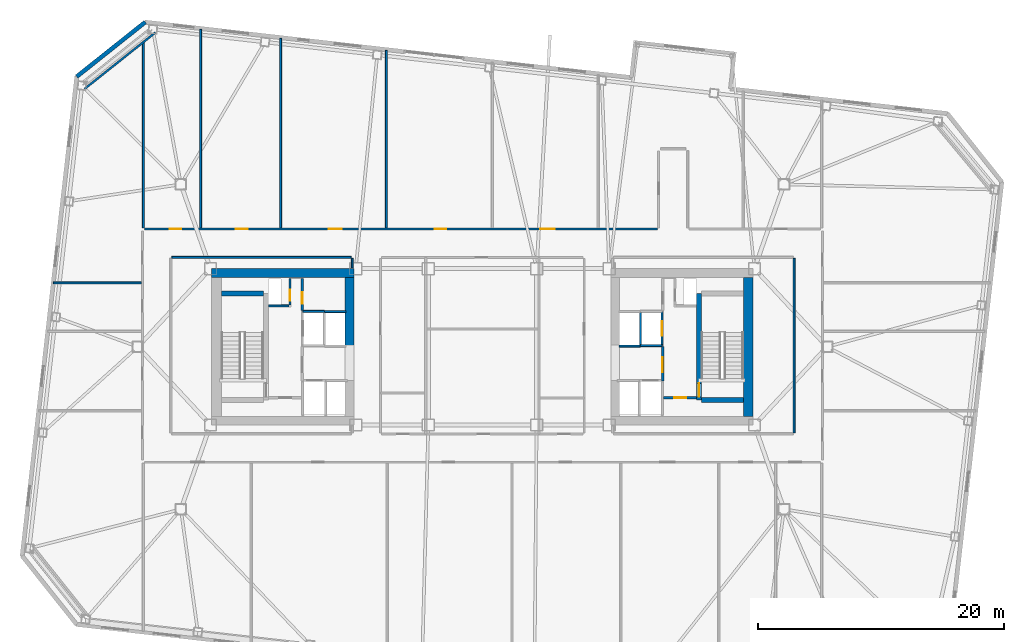
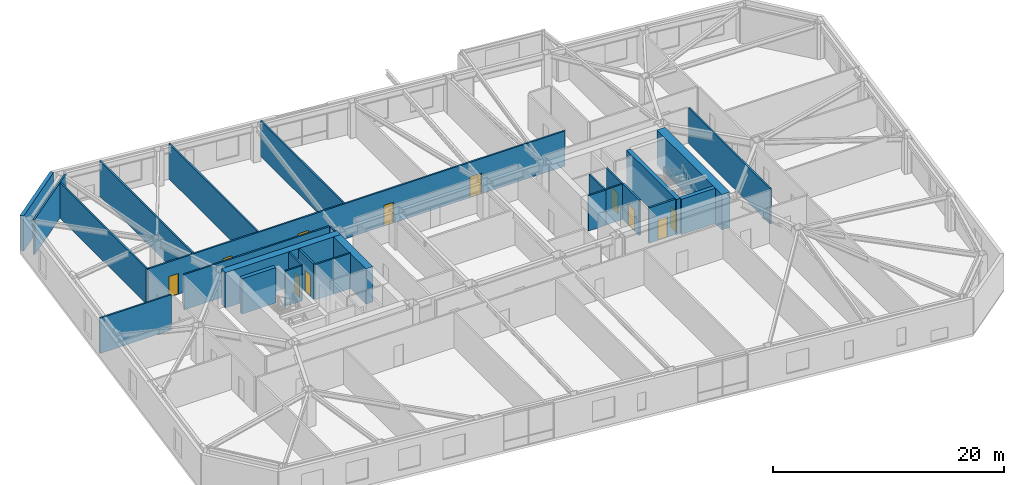
# One storey, part 14 of 21: 28 walls, 11 doors, 11 openings.
"""IFC4 building model written with IfcOpenShell, lengths in metres."""

from ifc_helpers import new_model, si_unit, direction, frame, frame_2d, origin, place, context, subcontext, project, spatial, rectangle, extrude, material, layer, layer_set, type_object, element, fill, save


model = new_model("IFC4")

# Units and contexts
model_context = context("Model", 3, precision=1e-05, world=origin(), true_north=direction((0.0, 1.0)))
body_context = subcontext(model_context, "Body", "Model", "MODEL_VIEW")
ifc_project = project(units=[si_unit("LENGTHUNIT", "METRE"), si_unit("AREAUNIT", "SQUARE_METRE"), si_unit("VOLUMEUNIT", "CUBIC_METRE"), si_unit("PLANEANGLEUNIT", "RADIAN"), si_unit("MASSUNIT", "GRAM", prefix="KILO")], contexts=[model_context])

# Site, building, storey
site_placement = place(None, origin())
site = spatial("IfcSite", under=ifc_project, at=site_placement, CompositionType="ELEMENT")
building_placement = place(site_placement, origin())
building = spatial("IfcBuilding", under=site, at=building_placement, Name="Tavrogorsk Clinical Tower", CompositionType="ELEMENT")
storey_placement = place(building_placement, frame((0.0, 0.0, 121.39990234375)))
storey = spatial("IfcBuildingStorey", under=building, at=storey_placement, Name="L27", CompositionType="ELEMENT", Elevation=121.39990234375)

# Wall, opening, door
ifc_material_1 = material(Name="Concrete B60", Category="concrete")
ifc_layer_1 = layer(ifc_material_1, 0.199951171875)
ifc_layer_set_1 = layer_set([ifc_layer_1], Name="Concrete B60")
wall_type_1 = type_object("IfcWallType", Name="CoreFireWall_200", PredefinedType="SOLIDWALL", material=ifc_layer_set_1)
wall_1_placement = place(storey_placement, frame((-14.639892578125, 2.9599609375, 0.0), z_axis=(0.0, 0.0, 1.0), x_axis=(0.0, 1.0, 0.0)))
wall_1 = element("IfcWall", 1, at=wall_1_placement, inside=storey, type_object=wall_type_1, Name="L27 Core West North Core Room East Wall", PredefinedType="SOLIDWALL", context=body_context, shape_type="SweptSolid", body=[
    extrude(rectangle(XDim=2.60009765625, YDim=0.199951171875, at=frame_2d((1.300048828125, 0.0))), origin(), (0.0, 0.0, 1.0), 3.739990234375),
])
opening_1_placement = place(wall_1_placement, frame((0.52001953125, 0.0, 0.0)))
opening_1 = element("IfcOpeningElement", 2, at=opening_1_placement, cuts=wall_1, Name="Opening ID-02", PredefinedType="OPENING", context=body_context, shape_type="SweptSolid", body=[
    extrude(rectangle(XDim=0.949951171875, YDim=2.199951171875, at=frame_2d((0.47509765625, 1.10009765625))), frame((0.0, 0.10986328125, 0.0), z_axis=(0.0, -1.0, 0.0), x_axis=(1.0, 0.0, 0.0)), (0.0, 0.0, 1.0), 0.219970703125),
])
ifc_material_2 = material(Name="Laminated timber leaf on aluminium frame", Category="wood")
door_type_1 = type_object("IfcDoorType", Name="InteriorDoor_ID02_950", OperationType="NOTDEFINED", PredefinedType="DOOR", material=ifc_material_2)
door_1_placement = place(opening_1_placement, origin())
door_1 = element("IfcDoor", 3, at=door_1_placement, inside=storey, type_object=door_type_1, Name="L27 Core West Core Telemetry Room Door", OperationType="SINGLE_SWING_LEFT", OverallHeight=2.199951171875, OverallWidth=0.949951171875, PredefinedType="DOOR", context=body_context, shape_type="SweptSolid", body=[
    extrude(rectangle(XDim=0.949951171875, YDim=2.199951171875, at=frame_2d((0.47509765625, 1.10009765625))), frame((0.0, 0.02490234375, 0.0), z_axis=(0.0, -1.0, 0.0), x_axis=(1.0, 0.0, 0.0)), (0.0, 0.0, 1.0), 0.050048828125),
])
fill(opening_1, door_1)

wall_2_placement = place(storey_placement, frame((14.719970703125, -4.139892578125, 0.0), z_axis=(0.0, 0.0, 1.0), x_axis=(1.0, 0.0, 0.0)))
wall_2 = element("IfcWall", 4, at=wall_2_placement, inside=storey, type_object=wall_type_1, Name="L27 Core East South Core Room Fire Wall", PredefinedType="SOLIDWALL", context=body_context, shape_type="SweptSolid", body=[
    extrude(rectangle(XDim=2.659912109375, YDim=0.199951171875, at=frame_2d((1.330078125, 0.0))), origin(), (0.0, 0.0, 1.0), 3.739990234375),
])
opening_2_placement = place(wall_2_placement, frame((0.8798828125, 0.0, 0.0)))
opening_2 = element("IfcOpeningElement", 5, at=opening_2_placement, cuts=wall_2, Name="Opening ID-02", PredefinedType="OPENING", context=body_context, shape_type="SweptSolid", body=[
    extrude(rectangle(XDim=0.949951171875, YDim=2.199951171875, at=frame_2d((0.47509765625, 1.10009765625))), frame((0.0, 0.10986328125, 0.0), z_axis=(0.0, -1.0, 0.0), x_axis=(1.0, 0.0, 0.0)), (0.0, 0.0, 1.0), 0.219970703125),
])
door_2_placement = place(opening_2_placement, origin())
door_2 = element("IfcDoor", 6, at=door_2_placement, inside=storey, type_object=door_type_1, Name="L27 Core East South Core Room Door", OperationType="SINGLE_SWING_RIGHT", OverallHeight=2.199951171875, OverallWidth=0.949951171875, PredefinedType="DOOR", context=body_context, shape_type="SweptSolid", body=[
    extrude(rectangle(XDim=0.949951171875, YDim=2.199951171875, at=frame_2d((0.47509765625, 1.10009765625))), frame((0.0, 0.02490234375, 0.0), z_axis=(0.0, -1.0, 0.0), x_axis=(1.0, 0.0, 0.0)), (0.0, 0.0, 1.0), 0.050048828125),
])
fill(opening_2, door_2)

wall_3_placement = place(storey_placement, frame((14.639892578125, -2.780029296875, 0.0), z_axis=(0.0, 0.0, 1.0), x_axis=(0.0, 1.0, 0.0)))
wall_3 = element("IfcWall", 7, at=wall_3_placement, inside=storey, type_object=wall_type_1, Name="L27 Core East Firefighting Lobby Fire Wall", PredefinedType="SOLIDWALL", context=body_context, shape_type="SweptSolid", body=[
    extrude(rectangle(XDim=2.820068359375, YDim=0.199951171875, at=frame_2d((1.41015625, 0.0))), origin(), (0.0, 0.0, 1.0), 3.739990234375),
])
opening_3_placement = place(wall_3_placement, frame((0.72998046875, 0.0, 0.0)))
opening_3 = element("IfcOpeningElement", 8, at=opening_3_placement, cuts=wall_3, Name="Opening FD-01", PredefinedType="OPENING", context=body_context, shape_type="SweptSolid", body=[
    extrude(rectangle(XDim=1.199951171875, YDim=2.199951171875, at=frame_2d((0.60009765625, 1.10009765625))), frame((0.0, 0.10986328125, 0.0), z_axis=(0.0, -1.0, 0.0), x_axis=(1.0, 0.0, 0.0)), (0.0, 0.0, 1.0), 0.219970703125),
])
ifc_material_3 = material(Name="Galvanised steel fire-rated door assembly", Category="steel")
door_type_2 = type_object("IfcDoorType", Name="FireDoor_FD01_1200", OperationType="NOTDEFINED", PredefinedType="DOOR", material=ifc_material_3)
door_3_placement = place(opening_3_placement, origin())
door_3 = element("IfcDoor", 9, at=door_3_placement, inside=storey, type_object=door_type_2, Name="L27 Core East Firefighting Lobby Entry Door", OperationType="SINGLE_SWING_RIGHT", OverallHeight=2.199951171875, OverallWidth=1.199951171875, PredefinedType="DOOR", context=body_context, shape_type="SweptSolid", body=[
    extrude(rectangle(XDim=1.199951171875, YDim=2.199951171875, at=frame_2d((0.60009765625, 1.10009765625))), frame((0.0, 0.02490234375, 0.0), z_axis=(0.0, -1.0, 0.0), x_axis=(1.0, 0.0, 0.0)), (0.0, 0.0, 1.0), 0.050048828125),
])
fill(opening_3, door_3)

# Wall
ifc_material_4 = material(Name="Lightweight concrete blockwork B15", Category="masonry")
ifc_layer_2 = layer(ifc_material_4, 0.159912109375)
ifc_layer_set_2 = layer_set([ifc_layer_2], Name="Lightweight concrete blockwork B15")
wall_type_2 = type_object("IfcWallType", Name="PartitionWall_160", PredefinedType="PARTITIONING", material=ifc_layer_set_2)
wall_4_placement = place(storey_placement, frame((-26.5712890625, 25.534912109375, 0.0), z_axis=(0.0, 0.0, 1.0), x_axis=(-0.782617962887, -0.622502308564, 0.0)))
element("IfcWall", 10, at=wall_4_placement, inside=storey, type_object=wall_type_2, Name="L27 Corner Exoskeleton Brace Furring Wall 3", PredefinedType="PARTITIONING", context=body_context, shape_type="SweptSolid", body=[
    extrude(rectangle(XDim=7.35400390625, YDim=0.159912109375, at=frame_2d((3.677001953125, 0.0))), origin(), (0.0, 0.0, 1.0), 3.739990234375),
])

# Wall, openings, doors
wall_5_placement = place(storey_placement, frame((-27.465087890625, 9.580078125, 0.0), z_axis=(0.0, 0.0, 1.0), x_axis=(1.0, 0.0, 0.0)))
wall_5 = element("IfcWall", 11, at=wall_5_placement, inside=storey, type_object=wall_type_2, Name="L27 Corridor Partition 02", PredefinedType="PARTITIONING", context=body_context, shape_type="SweptSolid", body=[
    extrude(rectangle(XDim=41.7001953125, YDim=0.159912109375, at=frame_2d((20.85009765625, 0.0))), origin(), (0.0, 0.0, 1.0), 3.739990234375),
])
opening_4_placement = place(wall_5_placement, frame((2.044189453125, 0.0, 0.0)))
opening_4 = element("IfcOpeningElement", 12, at=opening_4_placement, cuts=wall_5, Name="Opening ID-02", PredefinedType="OPENING", context=body_context, shape_type="SweptSolid", body=[
    extrude(rectangle(XDim=0.949951171875, YDim=2.199951171875, at=frame_2d((0.47509765625, 1.10009765625))), frame((0.0, 0.08984375, 0.0), z_axis=(0.0, -1.0, 0.0), x_axis=(1.0, 0.0, 0.0)), (0.0, 0.0, 1.0), 0.179931640625),
])
opening_5_placement = place(wall_5_placement, frame((7.425048828125, 0.0, 0.0)))
opening_5 = element("IfcOpeningElement", 13, at=opening_5_placement, cuts=wall_5, Name="Opening ID-02", PredefinedType="OPENING", context=body_context, shape_type="SweptSolid", body=[
    extrude(rectangle(XDim=0.949951171875, YDim=2.199951171875, at=frame_2d((0.47509765625, 1.10009765625))), frame((0.0, 0.08984375, 0.0), z_axis=(0.0, -1.0, 0.0), x_axis=(1.0, 0.0, 0.0)), (0.0, 0.0, 1.0), 0.179931640625),
])
opening_6_placement = place(wall_5_placement, frame((14.97509765625, 0.0, 0.0)))
opening_6 = element("IfcOpeningElement", 14, at=opening_6_placement, cuts=wall_5, Name="Opening ID-04", PredefinedType="OPENING", context=body_context, shape_type="SweptSolid", body=[
    extrude(rectangle(XDim=1.050048828125, YDim=2.199951171875, at=frame_2d((0.52490234375, 1.10009765625))), frame((0.0, 0.08984375, 0.0), z_axis=(0.0, -1.0, 0.0), x_axis=(1.0, 0.0, 0.0)), (0.0, 0.0, 1.0), 0.179931640625),
])
opening_7_placement = place(wall_5_placement, frame((23.574951171875, 0.0, 0.0)))
opening_7 = element("IfcOpeningElement", 15, at=opening_7_placement, cuts=wall_5, Name="Opening ID-02", PredefinedType="OPENING", context=body_context, shape_type="SweptSolid", body=[
    extrude(rectangle(XDim=0.949951171875, YDim=2.199951171875, at=frame_2d((0.47509765625, 1.10009765625))), frame((0.0, 0.08984375, 0.0), z_axis=(0.0, -1.0, 0.0), x_axis=(1.0, 0.0, 0.0)), (0.0, 0.0, 1.0), 0.179931640625),
])
opening_8_placement = place(wall_5_placement, frame((32.175048828125, 0.0, 0.0)))
opening_8 = element("IfcOpeningElement", 16, at=opening_8_placement, cuts=wall_5, Name="Opening ID-06", PredefinedType="OPENING", context=body_context, shape_type="SweptSolid", body=[
    extrude(rectangle(XDim=1.14990234375, YDim=2.199951171875, at=frame_2d((0.574951171875, 1.10009765625))), frame((0.0, 0.08984375, 0.0), z_axis=(0.0, -1.0, 0.0), x_axis=(1.0, 0.0, 0.0)), (0.0, 0.0, 1.0), 0.179931640625),
])
ifc_material_5 = material(Name="Antibacterial HPL consultation door on aluminium frame", Category="aluminium")
door_type_3 = type_object("IfcDoorType", Name="ConsultDoor_ID04_1050", OperationType="NOTDEFINED", PredefinedType="DOOR", material=ifc_material_5)
door_4_placement = place(opening_6_placement, origin())
door_4 = element("IfcDoor", 17, at=door_4_placement, inside=storey, type_object=door_type_3, Name="L27 North Antenatal Education Lecture Hall 03 Door", OperationType="SINGLE_SWING_LEFT", OverallHeight=2.199951171875, OverallWidth=1.050048828125, PredefinedType="DOOR", context=body_context, shape_type="SweptSolid", body=[
    extrude(rectangle(XDim=1.050048828125, YDim=2.199951171875, at=frame_2d((0.52490234375, 1.10009765625))), frame((0.0, 0.02490234375, 0.0), z_axis=(0.0, -1.0, 0.0), x_axis=(1.0, 0.0, 0.0)), (0.0, 0.0, 1.0), 0.050048828125),
])
fill(opening_6, door_4)
door_5_placement = place(opening_4_placement, origin())
door_5 = element("IfcDoor", 18, at=door_5_placement, inside=storey, type_object=door_type_1, Name="L27 North Family Perinatal Quiet Lounge 01 Door", OperationType="SINGLE_SWING_LEFT", OverallHeight=2.199951171875, OverallWidth=0.949951171875, PredefinedType="DOOR", context=body_context, shape_type="SweptSolid", body=[
    extrude(rectangle(XDim=0.949951171875, YDim=2.199951171875, at=frame_2d((0.47509765625, 1.10009765625))), frame((0.0, 0.02490234375, 0.0), z_axis=(0.0, -1.0, 0.0), x_axis=(1.0, 0.0, 0.0)), (0.0, 0.0, 1.0), 0.050048828125),
])
fill(opening_4, door_5)
door_6_placement = place(opening_5_placement, origin())
door_6 = element("IfcDoor", 19, at=door_6_placement, inside=storey, type_object=door_type_1, Name="L27 North Neonatal Milk Bank & Formula Store 02 Door", OperationType="SINGLE_SWING_RIGHT", OverallHeight=2.199951171875, OverallWidth=0.949951171875, PredefinedType="DOOR", context=body_context, shape_type="SweptSolid", body=[
    extrude(rectangle(XDim=0.949951171875, YDim=2.199951171875, at=frame_2d((0.47509765625, 1.10009765625))), frame((0.0, 0.02490234375, 0.0), z_axis=(0.0, -1.0, 0.0), x_axis=(1.0, 0.0, 0.0)), (0.0, 0.0, 1.0), 0.050048828125),
])
fill(opening_5, door_6)
door_7_placement = place(opening_7_placement, origin())
door_7 = element("IfcDoor", 20, at=door_7_placement, inside=storey, type_object=door_type_1, Name="L27 North Perinatal Consultation Office 04 Door", OperationType="SINGLE_SWING_RIGHT", OverallHeight=2.199951171875, OverallWidth=0.949951171875, PredefinedType="DOOR", context=body_context, shape_type="SweptSolid", body=[
    extrude(rectangle(XDim=0.949951171875, YDim=2.199951171875, at=frame_2d((0.47509765625, 1.10009765625))), frame((0.0, 0.02490234375, 0.0), z_axis=(0.0, -1.0, 0.0), x_axis=(1.0, 0.0, 0.0)), (0.0, 0.0, 1.0), 0.050048828125),
])
fill(opening_7, door_7)
ifc_material_6 = material(Name="Antibacterial HPL procedure door on aluminium frame", Category="aluminium")
door_type_4 = type_object("IfcDoorType", Name="LabDoor_ID06_1150", OperationType="NOTDEFINED", PredefinedType="DOOR", material=ifc_material_6)
door_8_placement = place(opening_8_placement, origin())
door_8 = element("IfcDoor", 21, at=door_8_placement, inside=storey, type_object=door_type_4, Name="L27 North Family Perinatal Quiet Lounge 05 Door", OperationType="SINGLE_SWING_LEFT", OverallHeight=2.199951171875, OverallWidth=1.14990234375, PredefinedType="DOOR", context=body_context, shape_type="SweptSolid", body=[
    extrude(rectangle(XDim=1.14990234375, YDim=2.199951171875, at=frame_2d((0.574951171875, 1.10009765625))), frame((0.0, 0.02490234375, 0.0), z_axis=(0.0, -1.0, 0.0), x_axis=(1.0, 0.0, 0.0)), (0.0, 0.0, 1.0), 0.050048828125),
])
fill(opening_8, door_8)

# Walls
wall_6_placement = place(storey_placement, frame((25.320068359375, -6.985107421875, 0.0), z_axis=(0.0, 0.0, 1.0), x_axis=(0.0, 1.0, 0.0)))
element("IfcWall", 22, at=wall_6_placement, inside=storey, type_object=wall_type_2, Name="L27 Corridor Partition 13", PredefinedType="PARTITIONING", context=body_context, shape_type="SweptSolid", body=[
    extrude(rectangle(XDim=14.170166015625, YDim=0.159912109375, at=frame_2d((7.0849609375, 0.0))), origin(), (0.0, 0.0, 1.0), 3.739990234375),
])
wall_7_placement = place(storey_placement, frame((-10.580078125, 6.419921875, 0.0), z_axis=(0.0, 0.0, 1.0), x_axis=(0.0, 1.0, 0.0)))
element("IfcWall", 23, at=wall_7_placement, inside=storey, type_object=wall_type_2, Name="L27 Corridor Partition 19", PredefinedType="PARTITIONING", context=body_context, shape_type="SweptSolid", body=[
    extrude(rectangle(XDim=0.76513671875, YDim=0.159912109375, at=frame_2d((0.382568359375, 0.0))), origin(), (0.0, 0.0, 1.0), 3.739990234375),
])
wall_8_placement = place(storey_placement, frame((-10.6650390625, 7.27001953125, 0.0), z_axis=(0.0, 0.0, 1.0), x_axis=(-1.0, 0.0, 0.0)))
element("IfcWall", 24, at=wall_8_placement, inside=storey, type_object=wall_type_2, Name="L27 Corridor Partition 20", PredefinedType="PARTITIONING", context=body_context, shape_type="SweptSolid", body=[
    extrude(rectangle(XDim=14.570068359375, YDim=0.159912109375, at=frame_2d((7.28515625, 0.0))), origin(), (0.0, 0.0, 1.0), 3.739990234375),
])
wall_9_placement = place(storey_placement, frame((-27.550048828125, 9.6650390625, 0.0), z_axis=(0.0, 0.0, 1.0), x_axis=(0.0, 1.0, 0.0)))
element("IfcWall", 25, at=wall_9_placement, inside=storey, type_object=wall_type_2, Name="L27 NW Wing Closure Partition", PredefinedType="PARTITIONING", context=body_context, shape_type="SweptSolid", body=[
    extrude(rectangle(XDim=15.108642578125, YDim=0.159912109375, at=frame_2d((7.55419921875, 0.0))), origin(), (0.0, 0.0, 1.0), 3.739990234375),
])
wall_10_placement = place(storey_placement, frame((-22.89990234375, 9.6650390625, 0.0), z_axis=(0.0, 0.0, 1.0), x_axis=(0.0, 1.0, 0.0)))
element("IfcWall", 26, at=wall_10_placement, inside=storey, type_object=wall_type_2, Name="L27 North Room Partition 1", PredefinedType="PARTITIONING", context=body_context, shape_type="SweptSolid", body=[
    extrude(rectangle(XDim=16.136474609375, YDim=0.159912109375, at=frame_2d((8.068359375, 0.0))), origin(), (0.0, 0.0, 1.0), 3.739990234375),
])
wall_11_placement = place(storey_placement, frame((-16.39990234375, 9.6650390625, 0.0), z_axis=(0.0, 0.0, 1.0), x_axis=(0.0, 1.0, 0.0)))
element("IfcWall", 27, at=wall_11_placement, inside=storey, type_object=wall_type_2, Name="L27 North Room Partition 2", PredefinedType="PARTITIONING", context=body_context, shape_type="SweptSolid", body=[
    extrude(rectangle(XDim=15.395751953125, YDim=0.159912109375, at=frame_2d((7.69775390625, 0.0))), origin(), (0.0, 0.0, 1.0), 3.739990234375),
])
wall_12_placement = place(storey_placement, frame((-7.800048828125, 9.6650390625, 0.0), z_axis=(0.0, 0.0, 1.0), x_axis=(0.0, 1.0, 0.0)))
element("IfcWall", 28, at=wall_12_placement, inside=storey, type_object=wall_type_2, Name="L27 North Room Partition 3", PredefinedType="PARTITIONING", context=body_context, shape_type="SweptSolid", body=[
    extrude(rectangle(XDim=14.416015625, YDim=0.159912109375, at=frame_2d((7.2080078125, 0.0))), origin(), (0.0, 0.0, 1.0), 3.739990234375),
])
wall_13_placement = place(storey_placement, frame((-34.857177734375, 5.199951171875, 0.0), z_axis=(0.0, 0.0, 1.0), x_axis=(1.0, 0.0, 0.0)))
element("IfcWall", 29, at=wall_13_placement, inside=storey, type_object=wall_type_2, Name="L27 W Wing Divider 3", PredefinedType="PARTITIONING", context=body_context, shape_type="SweptSolid", body=[
    extrude(rectangle(XDim=7.14208984375, YDim=0.159912109375, at=frame_2d((3.571044921875, 0.0))), origin(), (0.0, 0.0, 1.0), 3.739990234375),
])
ifc_material_7 = material(Name="Precast concrete B45 with limestone cladding", Category="masonry")
ifc_layer_3 = layer(ifc_material_7, 0.340087890625)
ifc_layer_set_3 = layer_set([ifc_layer_3], Name="Precast concrete B45 with limestone cladding")
wall_type_3 = type_object("IfcWallType", Name="PrecastLimestoneWall_340", PredefinedType="STANDARD", material=ifc_layer_set_3)
wall_14_placement = place(storey_placement, frame((-27.40087890625, 26.384765625, 0.0), z_axis=(0.0, 0.0, 1.0), x_axis=(-0.78261359446, -0.622507800567, 0.0)))
element("IfcWall", 30, at=wall_14_placement, inside=storey, type_object=wall_type_3, Name="L27 Chamfered Corner Wall 3", PredefinedType="STANDARD", context=body_context, shape_type="SweptSolid", body=[
    extrude(rectangle(XDim=7.113525390625, YDim=0.340087890625, at=frame_2d((3.556640625, 0.0))), origin(), (0.0, 0.0, 1.0), 3.739990234375),
])
ifc_material_8 = material(Name="Lightweight concrete blockwork B25", Category="masonry")
ifc_layer_4 = layer(ifc_material_8, 0.159912109375)
ifc_layer_set_4 = layer_set([ifc_layer_4], Name="Lightweight concrete blockwork B25")
wall_type_4 = type_object("IfcWallType", Name="ShaftWall_160", PredefinedType="PARTITIONING", material=ifc_layer_set_4)
wall_15_placement = place(storey_placement, frame((-14.60009765625, 2.8798828125, 0.0), z_axis=(0.0, 0.0, 1.0), x_axis=(1.0, 0.0, 0.0)))
element("IfcWall", 31, at=wall_15_placement, inside=storey, type_object=wall_type_4, Name="L27 FFL-W Shaft North Wall", PredefinedType="PARTITIONING", context=body_context, shape_type="SweptSolid", body=[
    extrude(rectangle(XDim=1.760009765625, YDim=0.159912109375, at=frame_2d((0.8798828125, 0.0))), origin(), (0.0, 0.0, 1.0), 3.739990234375),
])
wall_16_placement = place(storey_placement, frame((-12.820068359375, 2.860107421875, 0.0), z_axis=(0.0, 0.0, 1.0), x_axis=(1.0, 0.0, 0.0)))
element("IfcWall", 32, at=wall_16_placement, inside=storey, type_object=wall_type_4, Name="L27 LP-H1 High-Zone Lift Rear Wall", PredefinedType="PARTITIONING", context=body_context, shape_type="SweptSolid", body=[
    extrude(rectangle(XDim=1.719970703125, YDim=0.159912109375, at=frame_2d((0.85986328125, 0.0))), origin(), (0.0, 0.0, 1.0), 3.739990234375),
])

# Wall, opening, door
wall_17_placement = place(storey_placement, frame((14.60009765625, 0.1201171875, 0.0), z_axis=(0.0, 0.0, 1.0), x_axis=(0.0, 1.0, 0.0)))
wall_17 = element("IfcWall", 33, at=wall_17_placement, inside=storey, type_object=wall_type_4, Name="L27 FFL-E Firefighting Lift Front Wall", PredefinedType="PARTITIONING", context=body_context, shape_type="SweptSolid", body=[
    extrude(rectangle(XDim=2.739990234375, YDim=0.159912109375, at=frame_2d((1.3701171875, 0.0))), origin(), (0.0, 0.0, 1.0), 3.739990234375),
])
opening_9_placement = place(wall_17_placement, frame((0.77001953125, 0.0, 0.0)))
opening_9 = element("IfcOpeningElement", 34, at=opening_9_placement, cuts=wall_17, Name="Opening LD", PredefinedType="OPENING", context=body_context, shape_type="SweptSolid", body=[
    extrude(rectangle(XDim=1.199951171875, YDim=2.199951171875, at=frame_2d((0.60009765625, 1.10009765625))), frame((0.0, 0.08984375, 0.0), z_axis=(0.0, -1.0, 0.0), x_axis=(1.0, 0.0, 0.0)), (0.0, 0.0, 1.0), 0.179931640625),
])
ifc_material_9 = material(Name="Brushed stainless steel AISI 304 sliding doors", Category="steel")
door_type_5 = type_object("IfcDoorType", Name="LiftLandingDoor_LD_1200", OperationType="SLIDING_TO_LEFT", PredefinedType="DOOR", material=ifc_material_9)
door_9_placement = place(opening_9_placement, origin())
door_9 = element("IfcDoor", 35, at=door_9_placement, inside=storey, type_object=door_type_5, Name="L27 FFL-E Sliding Lift Landing Door", OperationType="SLIDING_TO_LEFT", OverallHeight=2.199951171875, OverallWidth=1.199951171875, PredefinedType="DOOR", context=body_context, shape_type="SweptSolid", body=[
    extrude(rectangle(XDim=1.199951171875, YDim=2.199951171875, at=frame_2d((0.60009765625, 1.10009765625))), frame((0.0, 0.02490234375, 0.0), z_axis=(0.0, -1.0, 0.0), x_axis=(1.0, 0.0, 0.0)), (0.0, 0.0, 1.0), 0.050048828125),
])
fill(opening_9, door_9)

# Walls
wall_18_placement = place(storey_placement, frame((12.840087890625, 0.10009765625, 0.0), z_axis=(0.0, 0.0, 1.0), x_axis=(1.0, 0.0, 0.0)))
element("IfcWall", 36, at=wall_18_placement, inside=storey, type_object=wall_type_4, Name="L27 FFL-E Shaft South Wall", PredefinedType="PARTITIONING", context=body_context, shape_type="SweptSolid", body=[
    extrude(rectangle(XDim=1.760009765625, YDim=0.159912109375, at=frame_2d((0.8798828125, 0.0))), origin(), (0.0, 0.0, 1.0), 3.739990234375),
])
wall_19_placement = place(storey_placement, frame((12.840087890625, 0.179931640625, 0.0), z_axis=(0.0, 0.0, 1.0), x_axis=(0.0, 1.0, 0.0)))
element("IfcWall", 37, at=wall_19_placement, inside=storey, type_object=wall_type_4, Name="L27 FFL-E Shaft Back Wall", PredefinedType="PARTITIONING", context=body_context, shape_type="SweptSolid", body=[
    extrude(rectangle(XDim=2.6201171875, YDim=0.159912109375, at=frame_2d((1.31005859375, 0.0))), origin(), (0.0, 0.0, 1.0), 3.739990234375),
])
wall_20_placement = place(storey_placement, frame((11.10009765625, 0.06005859375, 0.0), z_axis=(0.0, 0.0, 1.0), x_axis=(1.0, 0.0, 0.0)))
element("IfcWall", 38, at=wall_20_placement, inside=storey, type_object=wall_type_4, Name="L27 LP-H2 High-Zone Lift Portal Wall", PredefinedType="PARTITIONING", context=body_context, shape_type="SweptSolid", body=[
    extrude(rectangle(XDim=1.719970703125, YDim=0.159912109375, at=frame_2d((0.85986328125, 0.0))), origin(), (0.0, 0.0, 1.0), 3.739990234375),
])

# Wall, opening, door
wall_21_placement = place(storey_placement, frame((-15.639892578125, 3.405029296875, 0.0), z_axis=(0.0, 0.0, 1.0), x_axis=(0.0, 1.0, 0.0)))
wall_21 = element("IfcWall", 39, at=wall_21_placement, inside=storey, type_object=wall_type_4, Name="L27 Core West Riser West Wall", PredefinedType="PARTITIONING", context=body_context, shape_type="SweptSolid", body=[
    extrude(rectangle(XDim=2.155029296875, YDim=0.159912109375, at=frame_2d((1.07763671875, 0.0))), origin(), (0.0, 0.0, 1.0), 3.739990234375),
])
opening_10_placement = place(wall_21_placement, frame((0.35009765625, 0.0, 0.0)))
opening_10 = element("IfcOpeningElement", 40, at=opening_10_placement, cuts=wall_21, Name="Opening FD-02", PredefinedType="OPENING", context=body_context, shape_type="SweptSolid", body=[
    extrude(rectangle(XDim=0.89990234375, YDim=2.199951171875, at=frame_2d((0.449951171875, 1.10009765625))), frame((0.0, 0.08984375, 0.0), z_axis=(0.0, -1.0, 0.0), x_axis=(1.0, 0.0, 0.0)), (0.0, 0.0, 1.0), 0.179931640625),
])
ifc_material_10 = material(Name="Galvanised steel fire-rated door assembly", Category="steel")
door_type_6 = type_object("IfcDoorType", Name="FireDoor_FD02_900", OperationType="NOTDEFINED", PredefinedType="DOOR", material=ifc_material_10)
door_10_placement = place(opening_10_placement, origin())
door_10 = element("IfcDoor", 41, at=door_10_placement, inside=storey, type_object=door_type_6, Name="L27 Core West Electrical Riser Access Door", OperationType="SINGLE_SWING_LEFT", OverallHeight=2.199951171875, OverallWidth=0.89990234375, PredefinedType="DOOR", context=body_context, shape_type="SweptSolid", body=[
    extrude(rectangle(XDim=0.89990234375, YDim=2.199951171875, at=frame_2d((0.449951171875, 1.10009765625))), frame((0.0, 0.02490234375, 0.0), z_axis=(0.0, -1.0, 0.0), x_axis=(1.0, 0.0, 0.0)), (0.0, 0.0, 1.0), 0.050048828125),
])
fill(opening_10, door_10)

# Walls
wall_22_placement = place(storey_placement, frame((-17.3798828125, 3.320068359375, 0.0), z_axis=(0.0, 0.0, 1.0), x_axis=(1.0, 0.0, 0.0)))
element("IfcWall", 42, at=wall_22_placement, inside=storey, type_object=wall_type_4, Name="L27 Core West Riser South Wall", PredefinedType="PARTITIONING", context=body_context, shape_type="SweptSolid", body=[
    extrude(rectangle(XDim=1.65478515625, YDim=0.159912109375, at=frame_2d((0.827392578125, 0.0))), origin(), (0.0, 0.0, 1.0), 3.739990234375),
])
ifc_material_11 = material(Name="Concrete B80", Category="concrete")
ifc_layer_5 = layer(ifc_material_11, 0.39990234375)
ifc_layer_set_5 = layer_set([ifc_layer_5], Name="Concrete B80")
wall_type_5 = type_object("IfcWallType", Name="ShearWall_400", PredefinedType="SHEAR", material=ifc_layer_set_5)
wall_23_placement = place(storey_placement, frame((-21.199951171875, 4.324951171875, 0.0), z_axis=(0.0, 0.0, 1.0), x_axis=(1.0, 0.0, 0.0)))
element("IfcWall", 43, at=wall_23_placement, inside=storey, type_object=wall_type_5, Name="L27 Core West Stair Shaft North Shear Wall", PredefinedType="SHEAR", context=body_context, shape_type="SweptSolid", body=[
    extrude(rectangle(XDim=3.39990234375, YDim=0.39990234375, at=frame_2d((1.699951171875, 0.0))), origin(), (0.0, 0.0, 1.0), 3.739990234375),
])

# Wall, opening, door
wall_24_placement = place(storey_placement, frame((17.60009765625, -4.324951171875, 0.0), z_axis=(0.0, 0.0, 1.0), x_axis=(0.0, 1.0, 0.0)))
wall_24 = element("IfcWall", 44, at=wall_24_placement, inside=storey, type_object=wall_type_5, Name="L27 Core East Stair Shaft Inner Shear Wall", PredefinedType="SHEAR", context=body_context, shape_type="SweptSolid", body=[
    extrude(rectangle(XDim=8.64990234375, YDim=0.39990234375, at=frame_2d((4.324951171875, 0.0))), origin(), (0.0, 0.0, 1.0), 3.739990234375),
])
opening_11_placement = place(wall_24_placement, frame((0.25, 0.0, 0.0)))
opening_11 = element("IfcOpeningElement", 45, at=opening_11_placement, cuts=wall_24, Name="Opening SD-01", PredefinedType="OPENING", context=body_context, shape_type="SweptSolid", body=[
    extrude(rectangle(XDim=1.10009765625, YDim=2.199951171875, at=frame_2d((0.550048828125, 1.10009765625))), frame((0.0, 0.2099609375, 0.0), z_axis=(0.0, -1.0, 0.0), x_axis=(1.0, 0.0, 0.0)), (0.0, 0.0, 1.0), 0.419921875),
])
ifc_material_12 = material(Name="Galvanised steel smoke-tight fire door assembly", Category="steel")
door_type_7 = type_object("IfcDoorType", Name="StairFireDoor_SD01_1100", OperationType="NOTDEFINED", PredefinedType="DOOR", material=ifc_material_12)
door_11_placement = place(opening_11_placement, origin())
door_11 = element("IfcDoor", 46, at=door_11_placement, inside=storey, type_object=door_type_7, Name="L27 ST-E Exit Stair Door", OperationType="SINGLE_SWING_LEFT", OverallHeight=2.199951171875, OverallWidth=1.10009765625, PredefinedType="DOOR", context=body_context, shape_type="SweptSolid", body=[
    extrude(rectangle(XDim=1.10009765625, YDim=2.199951171875, at=frame_2d((0.550048828125, 1.10009765625))), frame((0.0, 0.02490234375, 0.0), z_axis=(0.0, -1.0, 0.0), x_axis=(1.0, 0.0, 0.0)), (0.0, 0.0, 1.0), 0.050048828125),
])
fill(opening_11, door_11)

# Walls
wall_25_placement = place(storey_placement, frame((17.800048828125, -4.324951171875, 0.0), z_axis=(0.0, 0.0, 1.0), x_axis=(1.0, 0.0, 0.0)))
element("IfcWall", 47, at=wall_25_placement, inside=storey, type_object=wall_type_5, Name="L27 Core East Stair Shaft South Shear Wall", PredefinedType="SHEAR", context=body_context, shape_type="SweptSolid", body=[
    extrude(rectangle(XDim=3.39990234375, YDim=0.39990234375, at=frame_2d((1.699951171875, 0.0))), origin(), (0.0, 0.0, 1.0), 3.739990234375),
])
ifc_material_13 = material(Name="Concrete B80", Category="concrete")
ifc_layer_6 = layer(ifc_material_13, 0.699951171875)
ifc_layer_set_6 = layer_set([ifc_layer_6], Name="Concrete B80")
wall_type_6 = type_object("IfcWallType", Name="ShearWall_700", PredefinedType="SHEAR", material=ifc_layer_set_6)
wall_26_placement = place(storey_placement, frame((-22.0, 6.0, 0.0), z_axis=(0.0, 0.0, 1.0), x_axis=(1.0, 0.0, 0.0)))
element("IfcWall", 48, at=wall_26_placement, inside=storey, type_object=wall_type_6, Name="L27 Core West North Shear Wall", PredefinedType="SHEAR", context=body_context, shape_type="SweptSolid", body=[
    extrude(rectangle(XDim=11.550048828125, YDim=0.699951171875, at=frame_2d((5.77490234375, 0.0))), origin(), (0.0, 0.0, 1.0), 3.739990234375),
])
wall_27_placement = place(storey_placement, frame((-10.800048828125, 0.050048828125, 0.0), z_axis=(0.0, 0.0, 1.0), x_axis=(0.0, 1.0, 0.0)))
element("IfcWall", 49, at=wall_27_placement, inside=storey, type_object=wall_type_6, Name="L27 Core West Inner North Pier", PredefinedType="SHEAR", context=body_context, shape_type="SweptSolid", body=[
    extrude(rectangle(XDim=5.599853515625, YDim=0.699951171875, at=frame_2d((2.7998046875, 0.0))), origin(), (0.0, 0.0, 1.0), 3.739990234375),
])
ifc_material_14 = material(Name="Concrete B80", Category="concrete")
ifc_layer_7 = layer(ifc_material_14, 0.800048828125)
ifc_layer_set_7 = layer_set([ifc_layer_7], Name="Concrete B80")
wall_type_7 = type_object("IfcWallType", Name="ShearWall_800", PredefinedType="SHEAR", material=ifc_layer_set_7)
wall_28_placement = place(storey_placement, frame((21.60009765625, -5.64990234375, 0.0), z_axis=(0.0, 0.0, 1.0), x_axis=(0.0, 1.0, 0.0)))
element("IfcWall", 50, at=wall_28_placement, inside=storey, type_object=wall_type_7, Name="L27 Core East End Shear Wall", PredefinedType="SHEAR", context=body_context, shape_type="SweptSolid", body=[
    extrude(rectangle(XDim=11.2998046875, YDim=0.800048828125, at=frame_2d((5.64990234375, 0.0))), origin(), (0.0, 0.0, 1.0), 3.739990234375),
])

save(model, "model.ifc")
